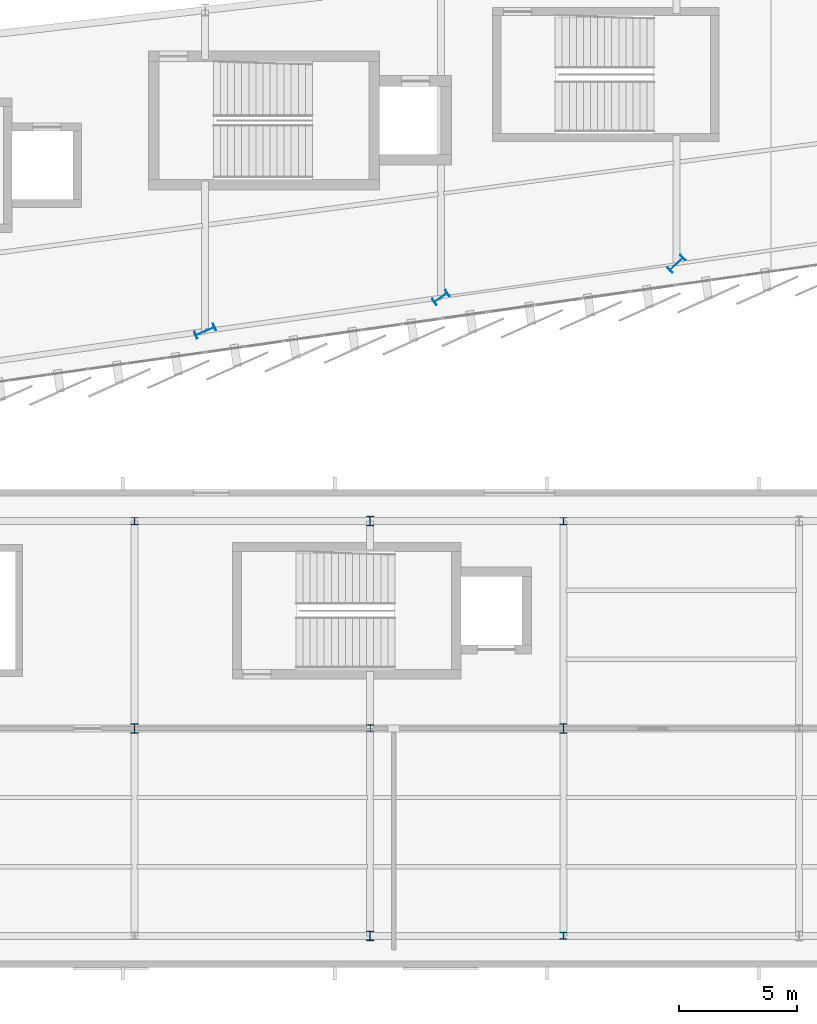
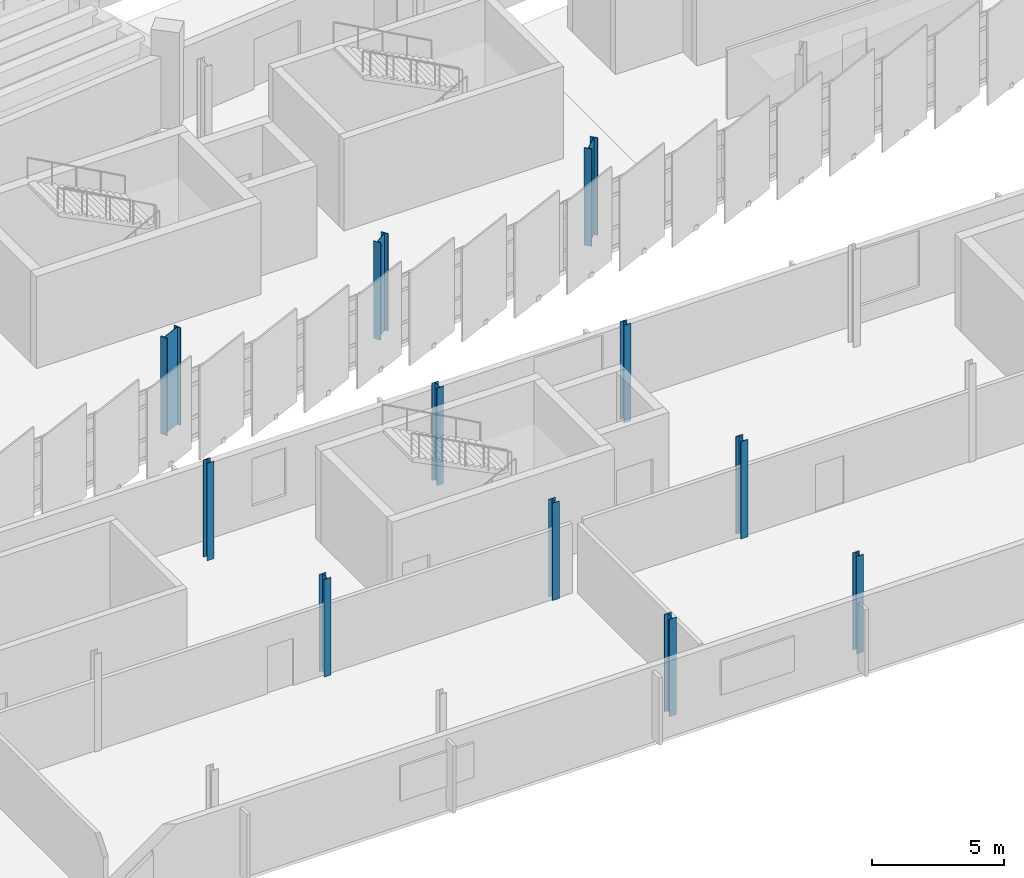
# One storey, part 6 of 120: 11 columns.
"""IFC4 building model written with IfcOpenShell, lengths in metres."""

from ifc_helpers import new_model, si_unit, direction, frame, origin, origin_2d, place, context, subcontext, project, spatial, i_section, extrude, material, material_profile, profile_set, type_object, element, save


model = new_model("IFC4")

# Units and contexts
model_context = context("Model", 3, precision=1e-05, world=origin(), true_north=direction((0.0, 1.0)))
body_context = subcontext(model_context, "Body", "Model", "MODEL_VIEW")
ifc_project = project(units=[si_unit("LENGTHUNIT", "METRE"), si_unit("AREAUNIT", "SQUARE_METRE"), si_unit("VOLUMEUNIT", "CUBIC_METRE"), si_unit("PLANEANGLEUNIT", "RADIAN"), si_unit("MASSUNIT", "GRAM", prefix="KILO")], contexts=[model_context])

# Site, building, storey
site_placement = place(None, origin())
site = spatial("IfcSite", under=ifc_project, at=site_placement, CompositionType="ELEMENT")
building_placement = place(site_placement, origin())
building = spatial("IfcBuilding", under=site, at=building_placement, Name="Sohan Crest Arena", CompositionType="ELEMENT")
storey_placement = place(building_placement, frame((0.0, 0.0, 13.5)))
storey = spatial("IfcBuildingStorey", under=building, at=storey_placement, Name="L03", CompositionType="ELEMENT", Elevation=13.5)

# Columns
ifc_material = material(Name="Steel S355", Category="steel")
ifc_material_profile_1 = material_profile(ifc_material, i_section(OverallWidth=0.300048828125, OverallDepth=0.300048828125, WebThickness=0.010986328125, FlangeThickness=0.01904296875, at=origin_2d()), Name="HEB 300")
ifc_profile_set_1 = profile_set([ifc_material_profile_1], Name="Steel S355")
column_type_1 = type_object("IfcColumnType", Name="STR-COL-C17", PredefinedType="COLUMN", material=ifc_profile_set_1)
for number, where, z_axis, x_axis, name in (
    (1, (115.0, 24.800048828125, 0.0), (0.0, 0.0, 1.0), (1.0, 0.0, 0.0), "Structural column COL-V5C-05-3-L03"),
    (2, (125.0, 16.0, 0.0), (0.0, 0.0, 1.0), (1.0, 0.0, 0.0), "Structural column COL-V5C-06-2-L03"),
    (3, (133.199951171875, 7.199951171875, 0.0), (0.0, 0.0, 1.0), (1.0, 0.0, 0.0), "Structural column COL-V5C-07-1-L03"),
    (4, (133.199951171875, 24.800048828125, 0.0), (0.0, 0.0, 1.0), (1.0, 0.0, 0.0), "Structural column COL-V5C-07-3-L03"),
):
    element("IfcColumn", number, at=place(storey_placement, frame(where, z_axis=z_axis, x_axis=x_axis)), inside=storey, type_object=column_type_1, Name=name, PredefinedType="COLUMN", context=body_context, shape_type="SweptSolid", body=[
        extrude(i_section(OverallWidth=0.300048828125, OverallDepth=0.300048828125, WebThickness=0.010986328125, FlangeThickness=0.01904296875, at=origin_2d()), origin(), (0.0, 0.0, 1.0), 4.5),
    ])
ifc_material_profile_2 = material_profile(ifc_material, i_section(OverallWidth=0.300048828125, OverallDepth=0.39990234375, WebThickness=0.013427734375, FlangeThickness=0.02392578125, at=origin_2d()), Name="HEB 400")
ifc_profile_set_2 = profile_set([ifc_material_profile_2], Name="Steel S355")
column_type_2 = type_object("IfcColumnType", Name="STR-COL-C18", PredefinedType="COLUMN", material=ifc_profile_set_2)
for number, where, z_axis, x_axis, name in (
    (5, (115.0, 16.0, 0.0), (0.0, 0.0, 1.0), (1.0, 0.0, 0.0), "Structural column COL-V5C-05-2-L03"),
    (6, (125.0, 7.199951171875, 0.0), (0.0, 0.0, 1.0), (1.0, 0.0, 0.0), "Structural column COL-V5C-06-1-L03"),
    (7, (125.0, 24.800048828125, 0.0), (0.0, 0.0, 1.0), (1.0, 0.0, 0.0), "Structural column COL-V5C-06-3-L03"),
    (8, (133.199951171875, 16.0, 0.0), (0.0, 0.0, 1.0), (1.0, 0.0, 0.0), "Structural column COL-V5C-07-2-L03"),
):
    element("IfcColumn", number, at=place(storey_placement, frame(where, z_axis=z_axis, x_axis=x_axis)), inside=storey, type_object=column_type_2, Name=name, PredefinedType="COLUMN", context=body_context, shape_type="SweptSolid", body=[
        extrude(i_section(OverallWidth=0.300048828125, OverallDepth=0.39990234375, WebThickness=0.013427734375, FlangeThickness=0.02392578125, at=origin_2d()), origin(), (0.0, 0.0, 1.0), 4.5),
    ])
ifc_material_profile_3 = material_profile(ifc_material, i_section(OverallWidth=0.300048828125, OverallDepth=0.699951171875, WebThickness=0.01708984375, FlangeThickness=0.031982421875, at=origin_2d()), Name="HEB 700")
ifc_profile_set_3 = profile_set([ifc_material_profile_3], Name="Steel S355")
column_type_3 = type_object("IfcColumnType", Name="STR-COL-C21", PredefinedType="COLUMN", material=ifc_profile_set_3)
column_1_placement = place(storey_placement, frame((128.0, 34.285888671875, 0.0), z_axis=(0.0, 0.0, 1.0), x_axis=(-0.566406236925, 0.824126188622, 0.0)))
element("IfcColumn", 9, at=column_1_placement, inside=storey, type_object=column_type_3, Name="Structural column COL-V2O-16-L03", PredefinedType="COLUMN", context=body_context, shape_type="SweptSolid", body=[
    extrude(i_section(OverallWidth=0.300048828125, OverallDepth=0.699951171875, WebThickness=0.01708984375, FlangeThickness=0.031982421875, at=origin_2d()), origin(), (0.0, 0.0, 1.0), 4.5),
])
ifc_material_profile_4 = material_profile(ifc_material, i_section(OverallWidth=0.300048828125, OverallDepth=0.800048828125, WebThickness=0.017578125, FlangeThickness=0.032958984375, at=origin_2d()), Name="HEB 800")
ifc_profile_set_4 = profile_set([ifc_material_profile_4], Name="Steel S355")
column_type_4 = type_object("IfcColumnType", Name="STR-COL-C22", PredefinedType="COLUMN", material=ifc_profile_set_4)
column_2_placement = place(storey_placement, frame((138.0, 35.714111328125, 0.0), z_axis=(0.0, 0.0, 1.0), x_axis=(-0.687087510804, 0.726574670971, 0.0)))
element("IfcColumn", 10, at=column_2_placement, inside=storey, type_object=column_type_4, Name="Structural column COL-V2O-17-L03", PredefinedType="COLUMN", context=body_context, shape_type="SweptSolid", body=[
    extrude(i_section(OverallWidth=0.300048828125, OverallDepth=0.800048828125, WebThickness=0.017578125, FlangeThickness=0.032958984375, at=origin_2d()), origin(), (0.0, 0.0, 1.0), 4.5),
])
ifc_material_profile_5 = material_profile(ifc_material, i_section(OverallWidth=0.300048828125, OverallDepth=0.89990234375, WebThickness=0.0185546875, FlangeThickness=0.034912109375, at=origin_2d()), Name="HEB 900")
ifc_profile_set_5 = profile_set([ifc_material_profile_5], Name="Steel S355")
column_type_5 = type_object("IfcColumnType", Name="STR-COL-C23", PredefinedType="COLUMN", material=ifc_profile_set_5)
column_3_placement = place(storey_placement, frame((118.0, 32.85693359375, 0.0), z_axis=(0.0, 0.0, 1.0), x_axis=(-0.40514158678, 0.914253955234, 0.0)))
element("IfcColumn", 11, at=column_3_placement, inside=storey, type_object=column_type_5, Name="Structural column COL-V2O-15-L03", PredefinedType="COLUMN", context=body_context, shape_type="SweptSolid", body=[
    extrude(i_section(OverallWidth=0.300048828125, OverallDepth=0.89990234375, WebThickness=0.0185546875, FlangeThickness=0.034912109375, at=origin_2d()), origin(), (0.0, 0.0, 1.0), 4.5),
])

save(model, "model.ifc")
